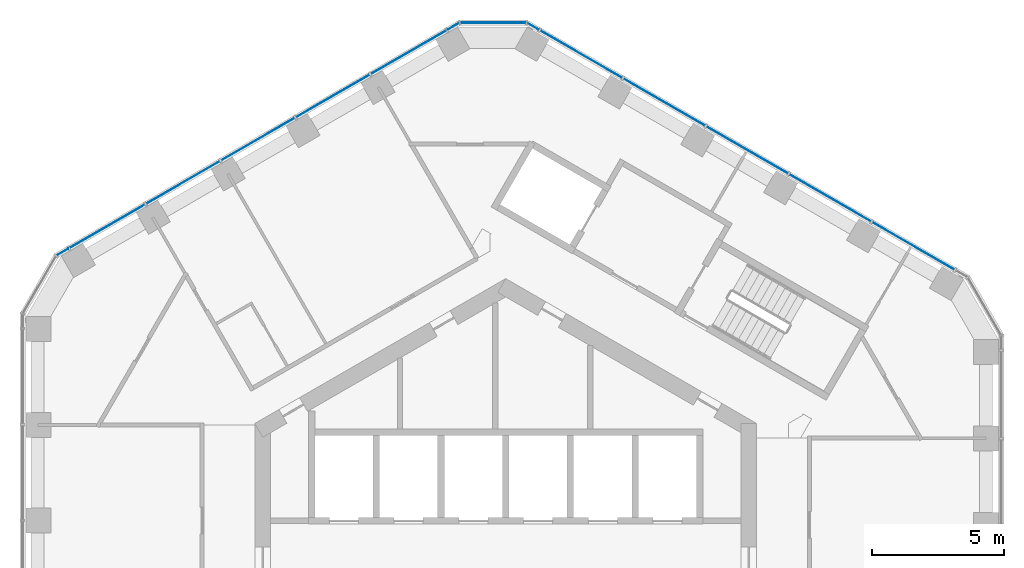
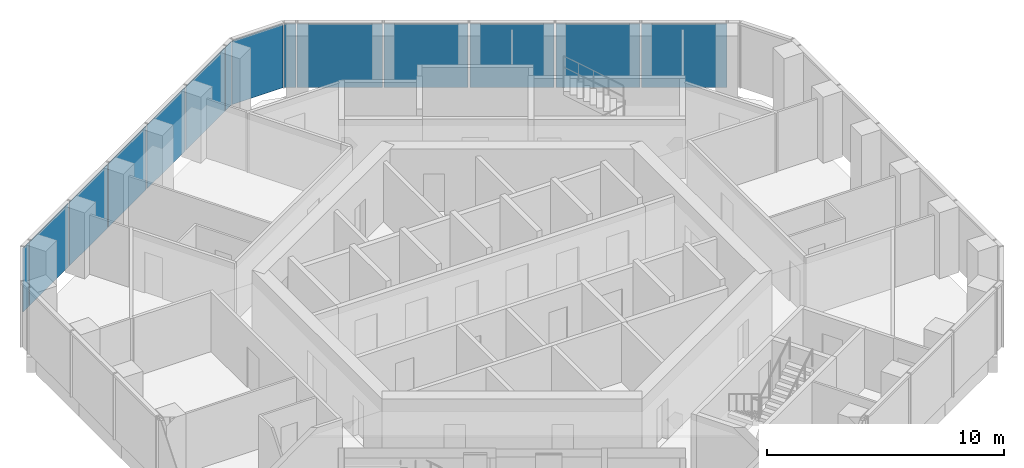
# One storey, part 12 of 18: 14 plates, 4 elements without a shape of their own.
"""IFC4 building model written with IfcOpenShell, lengths in metres."""

from ifc_helpers import new_model, si_unit, direction, frame, origin, origin_2d, place, context, subcontext, project, spatial, rectangle, extrude, material, layer, layer_set, type_object, element, aggregate, save


model = new_model("IFC4")

# Units and contexts
model_context = context("Model", 3, precision=1e-05, world=origin(), true_north=direction((0.0, 1.0)))
body_context = subcontext(model_context, "Body", "Model", "MODEL_VIEW")
ifc_project = project(units=[si_unit("LENGTHUNIT", "METRE"), si_unit("AREAUNIT", "SQUARE_METRE"), si_unit("VOLUMEUNIT", "CUBIC_METRE"), si_unit("PLANEANGLEUNIT", "RADIAN"), si_unit("MASSUNIT", "GRAM", prefix="KILO")], contexts=[model_context])

# Site, building, storey
site_placement = place(None, origin())
site = spatial("IfcSite", under=ifc_project, at=site_placement, CompositionType="ELEMENT")
building_placement = place(site_placement, origin())
building = spatial("IfcBuilding", under=site, at=building_placement, Name="Ayvan Gate Tower", CompositionType="ELEMENT")
storey_placement = place(building_placement, frame((0.0, 0.0, 179.89990234375)))
storey = spatial("IfcBuildingStorey", under=building, at=storey_placement, Name="L48", CompositionType="ELEMENT", Elevation=179.89990234375)

# Curtain wall, plates
ifc_material_1 = material(Name="Bronze anodised aluminium", Category="aluminium")
ifc_layer_1 = layer(ifc_material_1, 0.199951171875)
ifc_layer_set_1 = layer_set([ifc_layer_1], Name="Bronze anodised aluminium")
curtain_wall_type_1 = type_object("IfcCurtainWallType", Name="Stick curtain wall CW-2", PredefinedType="NOTDEFINED", material=ifc_layer_set_1)
curtain_wall_1_placement = place(storey_placement, origin())
curtain_wall_1 = element("IfcCurtainWall", 1, at=curtain_wall_1_placement, inside=storey, type_object=curtain_wall_type_1, Name="Stick curtain wall CW-2 L48", PredefinedType="NOTDEFINED")
ifc_material_2 = material(Name="Clear low-iron laminated glass", Category="glass")
ifc_layer_2 = layer(ifc_material_2, 0.028076171875)
ifc_layer_set_2 = layer_set([ifc_layer_2], Name="Clear low-iron laminated glass")
plate_type_1 = type_object("IfcPlateType", Name="Stick curtain wall CW-2 glass panel", PredefinedType="CURTAIN_PANEL", material=ifc_layer_set_2)
plate_1_placement = place(storey_placement, frame((-3.662109375, 19.549560546875, 0.0), z_axis=(0.0, 0.0, 1.0), x_axis=(-0.866025403784, -0.5, 0.0)))
plate_1 = element("IfcPlate", 2, at=plate_1_placement, type_object=plate_type_1, Name="CW-2 glass panel 1", PredefinedType="CURTAIN_PANEL", context=body_context, shape_type="SweptSolid", body=[
    extrude(rectangle(XDim=3.31396484375, YDim=0.028076171875, at=origin_2d()), origin(), (0.0, 0.0, 1.0), 3.280029296875),
])
plate_2_placement = place(storey_placement, frame((-6.544921875, 17.88525390625, 0.0), z_axis=(0.0, 0.0, 1.0), x_axis=(-0.866025403784, -0.5, 0.0)))
plate_2 = element("IfcPlate", 3, at=plate_2_placement, type_object=plate_type_1, Name="CW-2 glass panel 2", PredefinedType="CURTAIN_PANEL", context=body_context, shape_type="SweptSolid", body=[
    extrude(rectangle(XDim=3.2041015625, YDim=0.028076171875, at=origin_2d()), origin(), (0.0, 0.0, 1.0), 3.280029296875),
])
plate_3_placement = place(storey_placement, frame((-9.380859375, 16.248046875, 0.0), z_axis=(0.0, 0.0, 1.0), x_axis=(-0.866025403784, -0.5, 0.0)))
plate_3 = element("IfcPlate", 4, at=plate_3_placement, type_object=plate_type_1, Name="CW-2 glass panel 3", PredefinedType="CURTAIN_PANEL", context=body_context, shape_type="SweptSolid", body=[
    extrude(rectangle(XDim=3.205078125, YDim=0.028076171875, at=origin_2d()), origin(), (0.0, 0.0, 1.0), 3.280029296875),
])
plate_4_placement = place(storey_placement, frame((-12.216552734375, 14.610595703125, 0.0), z_axis=(0.0, 0.0, 1.0), x_axis=(-0.866025403784, -0.5, 0.0)))
plate_4 = element("IfcPlate", 5, at=plate_4_placement, type_object=plate_type_1, Name="CW-2 glass panel 4", PredefinedType="CURTAIN_PANEL", context=body_context, shape_type="SweptSolid", body=[
    extrude(rectangle(XDim=3.2041015625, YDim=0.028076171875, at=origin_2d()), origin(), (0.0, 0.0, 1.0), 3.280029296875),
])
plate_5_placement = place(storey_placement, frame((-15.099609375, 12.9462890625, 0.0), z_axis=(0.0, 0.0, 1.0), x_axis=(-0.866025403784, -0.5, 0.0)))
plate_5 = element("IfcPlate", 6, at=plate_5_placement, type_object=plate_type_1, Name="CW-2 glass panel 5", PredefinedType="CURTAIN_PANEL", context=body_context, shape_type="SweptSolid", body=[
    extrude(rectangle(XDim=3.31396484375, YDim=0.028076171875, at=origin_2d()), origin(), (0.0, 0.0, 1.0), 3.280029296875),
])
aggregate(curtain_wall_1, [plate_1, plate_2, plate_3, plate_4, plate_5])

curtain_wall_2_placement = place(storey_placement, origin())
curtain_wall_2 = element("IfcCurtainWall", 7, at=curtain_wall_2_placement, inside=storey, type_object=curtain_wall_type_1, Name="Stick curtain wall CW-2 L48", PredefinedType="NOTDEFINED")
plate_6_placement = place(storey_placement, frame((15.4453125, 12.198486328125, 0.0), z_axis=(0.0, 0.0, 1.0), x_axis=(-0.866025403784, 0.5, 0.0)))
plate_6 = element("IfcPlate", 8, at=plate_6_placement, type_object=plate_type_1, Name="CW-2 glass panel 1", PredefinedType="CURTAIN_PANEL", context=body_context, shape_type="SweptSolid", body=[
    extrude(rectangle(XDim=3.612060546875, YDim=0.028076171875, at=origin_2d()), origin(), (0.0, 0.0, 1.0), 3.280029296875),
])
plate_7_placement = place(storey_placement, frame((12.28173828125, 14.02490234375, 0.0), z_axis=(0.0, 0.0, 1.0), x_axis=(-0.866025403784, 0.5, 0.0)))
plate_7 = element("IfcPlate", 9, at=plate_7_placement, type_object=plate_type_1, Name="CW-2 glass panel 2", PredefinedType="CURTAIN_PANEL", context=body_context, shape_type="SweptSolid", body=[
    extrude(rectangle(XDim=3.553955078125, YDim=0.028076171875, at=origin_2d()), origin(), (0.0, 0.0, 1.0), 3.280029296875),
])
plate_8_placement = place(storey_placement, frame((9.14306640625, 15.8369140625, 0.0), z_axis=(0.0, 0.0, 1.0), x_axis=(-0.866025403784, 0.5, 0.0)))
plate_8 = element("IfcPlate", 10, at=plate_8_placement, type_object=plate_type_1, Name="CW-2 glass panel 3", PredefinedType="CURTAIN_PANEL", context=body_context, shape_type="SweptSolid", body=[
    extrude(rectangle(XDim=3.553955078125, YDim=0.028076171875, at=origin_2d()), origin(), (0.0, 0.0, 1.0), 3.280029296875),
])
plate_9_placement = place(storey_placement, frame((6.005126953125, 17.648681640625, 0.0), z_axis=(0.0, 0.0, 1.0), x_axis=(-0.866025403784, 0.5, 0.0)))
plate_9 = element("IfcPlate", 11, at=plate_9_placement, type_object=plate_type_1, Name="CW-2 glass panel 4", PredefinedType="CURTAIN_PANEL", context=body_context, shape_type="SweptSolid", body=[
    extrude(rectangle(XDim=3.552978515625, YDim=0.028076171875, at=origin_2d()), origin(), (0.0, 0.0, 1.0), 3.280029296875),
])
plate_10_placement = place(storey_placement, frame((2.841796875, 19.47509765625, 0.0), z_axis=(0.0, 0.0, 1.0), x_axis=(-0.866025403784, 0.5, 0.0)))
plate_10 = element("IfcPlate", 12, at=plate_10_placement, type_object=plate_type_1, Name="CW-2 glass panel 5", PredefinedType="CURTAIN_PANEL", context=body_context, shape_type="SweptSolid", body=[
    extrude(rectangle(XDim=3.612548828125, YDim=0.028076171875, at=origin_2d()), origin(), (0.0, 0.0, 1.0), 3.280029296875),
])
aggregate(curtain_wall_2, [plate_6, plate_7, plate_8, plate_9, plate_10])

# Curtain wall, plate
ifc_layer_3 = layer(ifc_material_1, 0.199951171875)
ifc_layer_set_3 = layer_set([ifc_layer_3], Name="Bronze anodised aluminium")
curtain_wall_type_2 = type_object("IfcCurtainWallType", Name="Stick curtain wall CW-6", PredefinedType="NOTDEFINED", material=ifc_layer_set_3)
curtain_wall_3_placement = place(storey_placement, origin())
curtain_wall_3 = element("IfcCurtainWall", 13, at=curtain_wall_3_placement, inside=storey, type_object=curtain_wall_type_2, Name="Stick curtain wall CW-6 L48", PredefinedType="NOTDEFINED")
ifc_layer_4 = layer(ifc_material_2, 0.028076171875)
ifc_layer_set_4 = layer_set([ifc_layer_4], Name="Clear low-iron laminated glass")
plate_type_2 = type_object("IfcPlateType", Name="Stick curtain wall CW-6 glass panel", PredefinedType="CURTAIN_PANEL", material=ifc_layer_set_4)
plate_11_placement = place(storey_placement, frame((-16.78125, 11.975341796875, 0.0), z_axis=(0.0, 0.0, 1.0), x_axis=(-0.866025403784, -0.5, 0.0)))
plate_11 = element("IfcPlate", 14, at=plate_11_placement, type_object=plate_type_2, Name="CW-6 glass panel 1", PredefinedType="CURTAIN_PANEL", context=body_context, shape_type="SweptSolid", body=[
    extrude(rectangle(XDim=0.5, YDim=0.028076171875, at=origin_2d()), origin(), (0.0, 0.0, 1.0), 3.280029296875),
])
aggregate(curtain_wall_3, [plate_11])

# Curtain wall, plates
curtain_wall_4_placement = place(storey_placement, origin())
curtain_wall_4 = element("IfcCurtainWall", 15, at=curtain_wall_4_placement, inside=storey, type_object=curtain_wall_type_2, Name="Stick curtain wall CW-6 L48", PredefinedType="NOTDEFINED")
plate_12_placement = place(storey_placement, frame((1.03076171875, 20.520751953125, 0.0), z_axis=(0.0, 0.0, 1.0), x_axis=(-0.866025403784, 0.5, 0.0)))
plate_12 = element("IfcPlate", 16, at=plate_12_placement, type_object=plate_type_2, Name="CW-6 glass panel 1", PredefinedType="CURTAIN_PANEL", context=body_context, shape_type="SweptSolid", body=[
    extrude(rectangle(XDim=0.5, YDim=0.028076171875, at=origin_2d()), origin(), (0.0, 0.0, 1.0), 3.280029296875),
])
plate_13_placement = place(storey_placement, frame((-0.474853515625, 20.658203125, 0.0), z_axis=(0.0, 0.0, 1.0), x_axis=(-1.0, 0.0, 0.0)))
plate_13 = element("IfcPlate", 17, at=plate_13_placement, type_object=plate_type_2, Name="CW-6 glass panel 2", PredefinedType="CURTAIN_PANEL", context=body_context, shape_type="SweptSolid", body=[
    extrude(rectangle(XDim=2.484619140625, YDim=0.028076171875, at=origin_2d()), origin(), (0.0, 0.0, 1.0), 3.280029296875),
])
plate_14_placement = place(storey_placement, frame((-1.980224609375, 20.520751953125, 0.0), z_axis=(0.0, 0.0, 1.0), x_axis=(-0.866025403784, -0.5, 0.0)))
plate_14 = element("IfcPlate", 18, at=plate_14_placement, type_object=plate_type_2, Name="CW-6 glass panel 3", PredefinedType="CURTAIN_PANEL", context=body_context, shape_type="SweptSolid", body=[
    extrude(rectangle(XDim=0.5, YDim=0.028076171875, at=origin_2d()), origin(), (0.0, 0.0, 1.0), 3.280029296875),
])
aggregate(curtain_wall_4, [plate_12, plate_13, plate_14])

save(model, "model.ifc")
